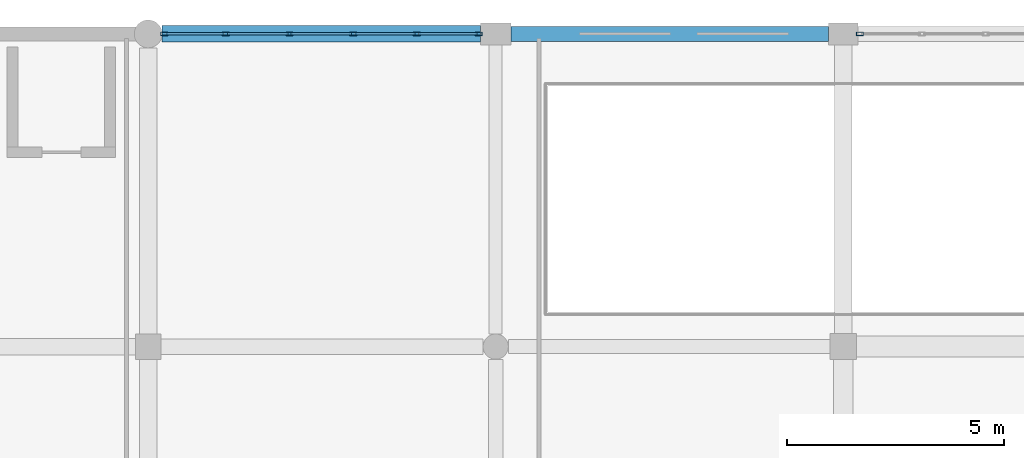
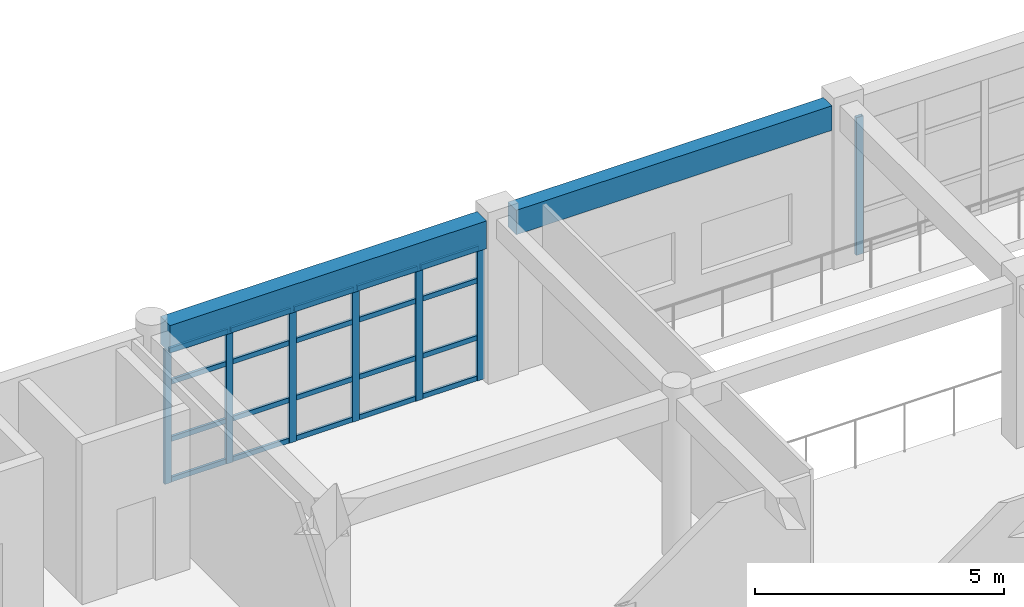
# One storey, part 11 of 53: 27 members, 2 beams, 2 elements without a shape of their own.
"""IFC4 building model written with IfcOpenShell, lengths in metres."""

from ifc_helpers import new_model, si_unit, direction, frame, origin, origin_2d, place, context, subcontext, project, spatial, rectangle, hollow_rectangle, extrude, material, material_profile, profile_set, type_object, element, aggregate, save


model = new_model("IFC4")

# Units and contexts
model_context = context("Model", 3, precision=1e-05, world=origin(), true_north=direction((0.0, 1.0)))
body_context = subcontext(model_context, "Body", "Model", "MODEL_VIEW")
ifc_project = project(units=[si_unit("LENGTHUNIT", "METRE"), si_unit("AREAUNIT", "SQUARE_METRE"), si_unit("VOLUMEUNIT", "CUBIC_METRE"), si_unit("PLANEANGLEUNIT", "RADIAN"), si_unit("MASSUNIT", "GRAM", prefix="KILO")], contexts=[model_context])

# Site, building, storey
site_placement = place(None, origin())
site = spatial("IfcSite", under=ifc_project, at=site_placement, CompositionType="ELEMENT")
building_placement = place(site_placement, origin())
building = spatial("IfcBuilding", under=site, at=building_placement, Name="Kharva Crest Polytechnic", CompositionType="ELEMENT")
storey_placement = place(building_placement, frame((0.0, 0.0, 17.39990234375)))
storey = spatial("IfcBuildingStorey", under=building, at=storey_placement, Name="L04", CompositionType="ELEMENT", Elevation=17.39990234375)

# Curtain wall, member
ifc_material_1 = material(Name="Tempered insulated glass", Category="glass")
curtain_wall_type = type_object("IfcCurtainWallType", Name="CW-SYS-STUDIO", PredefinedType="USERDEFINED", material=ifc_material_1)
curtain_wall_1_placement = place(storey_placement, origin())
curtain_wall_1 = element("IfcCurtainWall", 1, at=curtain_wall_1_placement, inside=storey, type_object=curtain_wall_type, Name="L04 Glazed Curtain Wall CW-179", ObjectType="CURTAIN WALL", PredefinedType="USERDEFINED")
ifc_material_2 = material(Name="Steel S355", Category="steel")
ifc_material_profile_1 = material_profile(ifc_material_2, hollow_rectangle(XDim=0.080078125, YDim=0.159912109375, WallThickness=0.0048828125, at=origin_2d()), Name="RHS 160X80X5.0")
ifc_profile_set_1 = profile_set([ifc_material_profile_1], Name="Steel S355")
member_type_1 = type_object("IfcMemberType", Name="CWM-RHS160X80", PredefinedType="MULLION", material=ifc_profile_set_1)
member_1_placement = place(storey_placement, frame((88.385009765625, 122.0, 0.0), z_axis=(0.0, 0.0, 1.0), x_axis=(0.0, -1.0, 0.0)))
member_1 = element("IfcMember", 2, at=member_1_placement, type_object=member_type_1, Name="CW-179 mullion 6", PredefinedType="MULLION", context=body_context, shape_type="SweptSolid", body=[
    extrude(hollow_rectangle(XDim=0.080078125, YDim=0.159912109375, WallThickness=0.0048828125, at=origin_2d()), origin(), (0.0, 0.0, 1.0), 3.3701171875),
])
aggregate(curtain_wall_1, [member_1])

# Curtain wall, members
curtain_wall_2_placement = place(storey_placement, origin())
curtain_wall_2 = element("IfcCurtainWall", 3, at=curtain_wall_2_placement, inside=storey, type_object=curtain_wall_type, Name="L04 Glazed Curtain Wall CW-180", ObjectType="CURTAIN WALL", PredefinedType="USERDEFINED")
member_2_placement = place(storey_placement, frame((79.60498046875, 122.0, 0.0), z_axis=(0.0, 0.0, 1.0), x_axis=(0.0, -1.0, 0.0)))
member_2 = element("IfcMember", 4, at=member_2_placement, type_object=member_type_1, Name="CW-180 mullion 1", PredefinedType="MULLION", context=body_context, shape_type="SweptSolid", body=[
    extrude(hollow_rectangle(XDim=0.080078125, YDim=0.159912109375, WallThickness=0.0048828125, at=origin_2d()), origin(), (0.0, 0.0, 1.0), 3.2900390625),
])
member_3_placement = place(storey_placement, frame((78.180908203125, 122.0, 0.0), z_axis=(0.0, 0.0, 1.0), x_axis=(0.0, -1.0, 0.0)))
member_3 = element("IfcMember", 5, at=member_3_placement, type_object=member_type_1, Name="CW-180 mullion 2", PredefinedType="MULLION", context=body_context, shape_type="SweptSolid", body=[
    extrude(hollow_rectangle(XDim=0.080078125, YDim=0.159912109375, WallThickness=0.0048828125, at=origin_2d()), origin(), (0.0, 0.0, 1.0), 3.2900390625),
])
member_4_placement = place(storey_placement, frame((76.717041015625, 122.0, 0.0), z_axis=(0.0, 0.0, 1.0), x_axis=(0.0, -1.0, 0.0)))
member_4 = element("IfcMember", 6, at=member_4_placement, type_object=member_type_1, Name="CW-180 mullion 3", PredefinedType="MULLION", context=body_context, shape_type="SweptSolid", body=[
    extrude(hollow_rectangle(XDim=0.080078125, YDim=0.159912109375, WallThickness=0.0048828125, at=origin_2d()), origin(), (0.0, 0.0, 1.0), 3.2900390625),
])
member_5_placement = place(storey_placement, frame((75.2529296875, 122.0, 0.0), z_axis=(0.0, 0.0, 1.0), x_axis=(0.0, -1.0, 0.0)))
member_5 = element("IfcMember", 7, at=member_5_placement, type_object=member_type_1, Name="CW-180 mullion 4", PredefinedType="MULLION", context=body_context, shape_type="SweptSolid", body=[
    extrude(hollow_rectangle(XDim=0.080078125, YDim=0.159912109375, WallThickness=0.0048828125, at=origin_2d()), origin(), (0.0, 0.0, 1.0), 3.2900390625),
])
member_6_placement = place(storey_placement, frame((73.7890625, 122.0, 0.0), z_axis=(0.0, 0.0, 1.0), x_axis=(0.0, -1.0, 0.0)))
member_6 = element("IfcMember", 8, at=member_6_placement, type_object=member_type_1, Name="CW-180 mullion 5", PredefinedType="MULLION", context=body_context, shape_type="SweptSolid", body=[
    extrude(hollow_rectangle(XDim=0.080078125, YDim=0.159912109375, WallThickness=0.0048828125, at=origin_2d()), origin(), (0.0, 0.0, 1.0), 3.2900390625),
])
member_7_placement = place(storey_placement, frame((72.364990234375, 122.0, 0.0), z_axis=(0.0, 0.0, 1.0), x_axis=(0.0, -1.0, 0.0)))
member_7 = element("IfcMember", 9, at=member_7_placement, type_object=member_type_1, Name="CW-180 mullion 6", PredefinedType="MULLION", context=body_context, shape_type="SweptSolid", body=[
    extrude(hollow_rectangle(XDim=0.080078125, YDim=0.159912109375, WallThickness=0.0048828125, at=origin_2d()), origin(), (0.0, 0.0, 1.0), 3.2900390625),
])
ifc_material_profile_2 = material_profile(ifc_material_2, hollow_rectangle(XDim=0.06005859375, YDim=0.1201171875, WallThickness=0.00390625, at=origin_2d()), Name="RHS 120X60X4.0")
ifc_profile_set_2 = profile_set([ifc_material_profile_2], Name="Steel S355")
member_type_2 = type_object("IfcMemberType", Name="CWT-RHS120X60", PredefinedType="USERDEFINED", material=ifc_profile_set_2)
member_8_placement = place(storey_placement, frame((79.56494140625, 122.0, 0.06005859375), z_axis=(-1.0, 0.0, 0.0), x_axis=(0.0, -1.0, 0.0)))
member_8 = element("IfcMember", 10, at=member_8_placement, type_object=member_type_2, Name="CW-180 transom 1.1", ObjectType="TRANSOM", PredefinedType="USERDEFINED", context=body_context, shape_type="SweptSolid", body=[
    extrude(hollow_rectangle(XDim=0.06005859375, YDim=0.1201171875, WallThickness=0.00390625, at=origin_2d()), origin(), (0.0, 0.0, 1.0), 1.343994140625),
])
member_9_placement = place(storey_placement, frame((79.56494140625, 122.0, 1.050048828125), z_axis=(-1.0, 0.0, 0.0), x_axis=(0.0, -1.0, 0.0)))
member_9 = element("IfcMember", 11, at=member_9_placement, type_object=member_type_2, Name="CW-180 transom 1.2", ObjectType="TRANSOM", PredefinedType="USERDEFINED", context=body_context, shape_type="SweptSolid", body=[
    extrude(hollow_rectangle(XDim=0.06005859375, YDim=0.1201171875, WallThickness=0.00390625, at=origin_2d()), origin(), (0.0, 0.0, 1.0), 1.343994140625),
])
member_10_placement = place(storey_placement, frame((79.56494140625, 122.0, 2.4501953125), z_axis=(-1.0, 0.0, 0.0), x_axis=(0.0, -1.0, 0.0)))
member_10 = element("IfcMember", 12, at=member_10_placement, type_object=member_type_2, Name="CW-180 transom 1.3", ObjectType="TRANSOM", PredefinedType="USERDEFINED", context=body_context, shape_type="SweptSolid", body=[
    extrude(hollow_rectangle(XDim=0.06005859375, YDim=0.1201171875, WallThickness=0.00390625, at=origin_2d()), origin(), (0.0, 0.0, 1.0), 1.343994140625),
])
member_11_placement = place(storey_placement, frame((79.56494140625, 122.0, 3.22998046875), z_axis=(-1.0, 0.0, 0.0), x_axis=(0.0, -1.0, 0.0)))
member_11 = element("IfcMember", 13, at=member_11_placement, type_object=member_type_2, Name="CW-180 transom 1.4", ObjectType="TRANSOM", PredefinedType="USERDEFINED", context=body_context, shape_type="SweptSolid", body=[
    extrude(hollow_rectangle(XDim=0.06005859375, YDim=0.1201171875, WallThickness=0.00390625, at=origin_2d()), origin(), (0.0, 0.0, 1.0), 1.343994140625),
])
member_12_placement = place(storey_placement, frame((78.14111328125, 122.0, 0.06005859375), z_axis=(-1.0, 0.0, 0.0), x_axis=(0.0, -1.0, 0.0)))
member_12 = element("IfcMember", 14, at=member_12_placement, type_object=member_type_2, Name="CW-180 transom 2.1", ObjectType="TRANSOM", PredefinedType="USERDEFINED", context=body_context, shape_type="SweptSolid", body=[
    extrude(hollow_rectangle(XDim=0.06005859375, YDim=0.1201171875, WallThickness=0.00390625, at=origin_2d()), origin(), (0.0, 0.0, 1.0), 1.384033203125),
])
member_13_placement = place(storey_placement, frame((78.14111328125, 122.0, 1.050048828125), z_axis=(-1.0, 0.0, 0.0), x_axis=(0.0, -1.0, 0.0)))
member_13 = element("IfcMember", 15, at=member_13_placement, type_object=member_type_2, Name="CW-180 transom 2.2", ObjectType="TRANSOM", PredefinedType="USERDEFINED", context=body_context, shape_type="SweptSolid", body=[
    extrude(hollow_rectangle(XDim=0.06005859375, YDim=0.1201171875, WallThickness=0.00390625, at=origin_2d()), origin(), (0.0, 0.0, 1.0), 1.384033203125),
])
member_14_placement = place(storey_placement, frame((78.14111328125, 122.0, 2.4501953125), z_axis=(-1.0, 0.0, 0.0), x_axis=(0.0, -1.0, 0.0)))
member_14 = element("IfcMember", 16, at=member_14_placement, type_object=member_type_2, Name="CW-180 transom 2.3", ObjectType="TRANSOM", PredefinedType="USERDEFINED", context=body_context, shape_type="SweptSolid", body=[
    extrude(hollow_rectangle(XDim=0.06005859375, YDim=0.1201171875, WallThickness=0.00390625, at=origin_2d()), origin(), (0.0, 0.0, 1.0), 1.384033203125),
])
member_15_placement = place(storey_placement, frame((78.14111328125, 122.0, 3.22998046875), z_axis=(-1.0, 0.0, 0.0), x_axis=(0.0, -1.0, 0.0)))
member_15 = element("IfcMember", 17, at=member_15_placement, type_object=member_type_2, Name="CW-180 transom 2.4", ObjectType="TRANSOM", PredefinedType="USERDEFINED", context=body_context, shape_type="SweptSolid", body=[
    extrude(hollow_rectangle(XDim=0.06005859375, YDim=0.1201171875, WallThickness=0.00390625, at=origin_2d()), origin(), (0.0, 0.0, 1.0), 1.384033203125),
])
member_16_placement = place(storey_placement, frame((76.677001953125, 122.0, 0.06005859375), z_axis=(-1.0, 0.0, 0.0), x_axis=(0.0, -1.0, 0.0)))
member_16 = element("IfcMember", 18, at=member_16_placement, type_object=member_type_2, Name="CW-180 transom 3.1", ObjectType="TRANSOM", PredefinedType="USERDEFINED", context=body_context, shape_type="SweptSolid", body=[
    extrude(hollow_rectangle(XDim=0.06005859375, YDim=0.1201171875, WallThickness=0.00390625, at=origin_2d()), origin(), (0.0, 0.0, 1.0), 1.384033203125),
])
member_17_placement = place(storey_placement, frame((76.677001953125, 122.0, 1.050048828125), z_axis=(-1.0, 0.0, 0.0), x_axis=(0.0, -1.0, 0.0)))
member_17 = element("IfcMember", 19, at=member_17_placement, type_object=member_type_2, Name="CW-180 transom 3.2", ObjectType="TRANSOM", PredefinedType="USERDEFINED", context=body_context, shape_type="SweptSolid", body=[
    extrude(hollow_rectangle(XDim=0.06005859375, YDim=0.1201171875, WallThickness=0.00390625, at=origin_2d()), origin(), (0.0, 0.0, 1.0), 1.384033203125),
])
member_18_placement = place(storey_placement, frame((76.677001953125, 122.0, 2.4501953125), z_axis=(-1.0, 0.0, 0.0), x_axis=(0.0, -1.0, 0.0)))
member_18 = element("IfcMember", 20, at=member_18_placement, type_object=member_type_2, Name="CW-180 transom 3.3", ObjectType="TRANSOM", PredefinedType="USERDEFINED", context=body_context, shape_type="SweptSolid", body=[
    extrude(hollow_rectangle(XDim=0.06005859375, YDim=0.1201171875, WallThickness=0.00390625, at=origin_2d()), origin(), (0.0, 0.0, 1.0), 1.384033203125),
])
member_19_placement = place(storey_placement, frame((76.677001953125, 122.0, 3.22998046875), z_axis=(-1.0, 0.0, 0.0), x_axis=(0.0, -1.0, 0.0)))
member_19 = element("IfcMember", 21, at=member_19_placement, type_object=member_type_2, Name="CW-180 transom 3.4", ObjectType="TRANSOM", PredefinedType="USERDEFINED", context=body_context, shape_type="SweptSolid", body=[
    extrude(hollow_rectangle(XDim=0.06005859375, YDim=0.1201171875, WallThickness=0.00390625, at=origin_2d()), origin(), (0.0, 0.0, 1.0), 1.384033203125),
])
member_20_placement = place(storey_placement, frame((75.212890625, 122.0, 0.06005859375), z_axis=(-1.0, 0.0, 0.0), x_axis=(0.0, -1.0, 0.0)))
member_20 = element("IfcMember", 22, at=member_20_placement, type_object=member_type_2, Name="CW-180 transom 4.1", ObjectType="TRANSOM", PredefinedType="USERDEFINED", context=body_context, shape_type="SweptSolid", body=[
    extrude(hollow_rectangle(XDim=0.06005859375, YDim=0.1201171875, WallThickness=0.00390625, at=origin_2d()), origin(), (0.0, 0.0, 1.0), 1.3837890625),
])
member_21_placement = place(storey_placement, frame((75.212890625, 122.0, 1.050048828125), z_axis=(-1.0, 0.0, 0.0), x_axis=(0.0, -1.0, 0.0)))
member_21 = element("IfcMember", 23, at=member_21_placement, type_object=member_type_2, Name="CW-180 transom 4.2", ObjectType="TRANSOM", PredefinedType="USERDEFINED", context=body_context, shape_type="SweptSolid", body=[
    extrude(hollow_rectangle(XDim=0.06005859375, YDim=0.1201171875, WallThickness=0.00390625, at=origin_2d()), origin(), (0.0, 0.0, 1.0), 1.3837890625),
])
member_22_placement = place(storey_placement, frame((75.212890625, 122.0, 2.4501953125), z_axis=(-1.0, 0.0, 0.0), x_axis=(0.0, -1.0, 0.0)))
member_22 = element("IfcMember", 24, at=member_22_placement, type_object=member_type_2, Name="CW-180 transom 4.3", ObjectType="TRANSOM", PredefinedType="USERDEFINED", context=body_context, shape_type="SweptSolid", body=[
    extrude(hollow_rectangle(XDim=0.06005859375, YDim=0.1201171875, WallThickness=0.00390625, at=origin_2d()), origin(), (0.0, 0.0, 1.0), 1.3837890625),
])
member_23_placement = place(storey_placement, frame((75.212890625, 122.0, 3.22998046875), z_axis=(-1.0, 0.0, 0.0), x_axis=(0.0, -1.0, 0.0)))
member_23 = element("IfcMember", 25, at=member_23_placement, type_object=member_type_2, Name="CW-180 transom 4.4", ObjectType="TRANSOM", PredefinedType="USERDEFINED", context=body_context, shape_type="SweptSolid", body=[
    extrude(hollow_rectangle(XDim=0.06005859375, YDim=0.1201171875, WallThickness=0.00390625, at=origin_2d()), origin(), (0.0, 0.0, 1.0), 1.3837890625),
])
member_24_placement = place(storey_placement, frame((73.7490234375, 122.0, 0.06005859375), z_axis=(-1.0, 0.0, 0.0), x_axis=(0.0, -1.0, 0.0)))
member_24 = element("IfcMember", 26, at=member_24_placement, type_object=member_type_2, Name="CW-180 transom 5.1", ObjectType="TRANSOM", PredefinedType="USERDEFINED", context=body_context, shape_type="SweptSolid", body=[
    extrude(hollow_rectangle(XDim=0.06005859375, YDim=0.1201171875, WallThickness=0.00390625, at=origin_2d()), origin(), (0.0, 0.0, 1.0), 1.343994140625),
])
member_25_placement = place(storey_placement, frame((73.7490234375, 122.0, 1.050048828125), z_axis=(-1.0, 0.0, 0.0), x_axis=(0.0, -1.0, 0.0)))
member_25 = element("IfcMember", 27, at=member_25_placement, type_object=member_type_2, Name="CW-180 transom 5.2", ObjectType="TRANSOM", PredefinedType="USERDEFINED", context=body_context, shape_type="SweptSolid", body=[
    extrude(hollow_rectangle(XDim=0.06005859375, YDim=0.1201171875, WallThickness=0.00390625, at=origin_2d()), origin(), (0.0, 0.0, 1.0), 1.343994140625),
])
member_26_placement = place(storey_placement, frame((73.7490234375, 122.0, 2.4501953125), z_axis=(-1.0, 0.0, 0.0), x_axis=(0.0, -1.0, 0.0)))
member_26 = element("IfcMember", 28, at=member_26_placement, type_object=member_type_2, Name="CW-180 transom 5.3", ObjectType="TRANSOM", PredefinedType="USERDEFINED", context=body_context, shape_type="SweptSolid", body=[
    extrude(hollow_rectangle(XDim=0.06005859375, YDim=0.1201171875, WallThickness=0.00390625, at=origin_2d()), origin(), (0.0, 0.0, 1.0), 1.343994140625),
])
member_27_placement = place(storey_placement, frame((73.7490234375, 122.0, 3.22998046875), z_axis=(-1.0, 0.0, 0.0), x_axis=(0.0, -1.0, 0.0)))
member_27 = element("IfcMember", 29, at=member_27_placement, type_object=member_type_2, Name="CW-180 transom 5.4", ObjectType="TRANSOM", PredefinedType="USERDEFINED", context=body_context, shape_type="SweptSolid", body=[
    extrude(hollow_rectangle(XDim=0.06005859375, YDim=0.1201171875, WallThickness=0.00390625, at=origin_2d()), origin(), (0.0, 0.0, 1.0), 1.343994140625),
])
aggregate(curtain_wall_2, [member_2, member_3, member_4, member_5, member_6, member_7, member_8, member_9, member_10, member_11, member_12, member_13, member_14, member_15, member_16, member_17, member_18, member_19, member_20, member_21, member_22, member_23, member_24, member_25, member_26, member_27])

# Beams
ifc_material_3 = material(Name="Concrete C35/45", Category="concrete")
ifc_material_profile_3 = material_profile(ifc_material_3, rectangle(XDim=0.340087890625, YDim=0.60009765625, at=origin_2d()), Name="RECT 340 X 600")
ifc_profile_set_3 = profile_set([ifc_material_profile_3], Name="Concrete C35/45")
beam_type_1 = type_object("IfcBeamType", Name="SP-RC-340X600", PredefinedType="SPANDREL", material=ifc_profile_set_3)
beam_1_placement = place(storey_placement, frame((80.35009765625, 122.0, 3.670166015625), z_axis=(1.0, 0.0, 0.0), x_axis=(0.0, 1.0, 0.0)))
element("IfcBeam", 30, at=beam_1_placement, inside=storey, type_object=beam_type_1, Name="L04 Beam S/11-12", PredefinedType="SPANDREL", context=body_context, shape_type="SweptSolid", body=[
    extrude(rectangle(XDim=0.340087890625, YDim=0.60009765625, at=origin_2d()), origin(), (0.0, 0.0, 1.0), 7.309814453125),
])
ifc_material_profile_4 = material_profile(ifc_material_3, rectangle(XDim=0.3798828125, YDim=0.679931640625, at=origin_2d()), Name="RECT 380 X 680")
ifc_profile_set_4 = profile_set([ifc_material_profile_4], Name="Concrete C35/45")
beam_type_2 = type_object("IfcBeamType", Name="SP-RC-380X680", PredefinedType="SPANDREL", material=ifc_profile_set_4)
beam_2_placement = place(storey_placement, frame((72.320068359375, 122.0, 3.630126953125), z_axis=(1.0, 0.0, 0.0), x_axis=(0.0, 1.0, 0.0)))
element("IfcBeam", 31, at=beam_2_placement, inside=storey, type_object=beam_type_2, Name="L04 Beam S/10-11", PredefinedType="SPANDREL", context=body_context, shape_type="SweptSolid", body=[
    extrude(rectangle(XDim=0.3798828125, YDim=0.679931640625, at=origin_2d()), origin(), (0.0, 0.0, 1.0), 7.329833984375),
])

save(model, "model.ifc")
